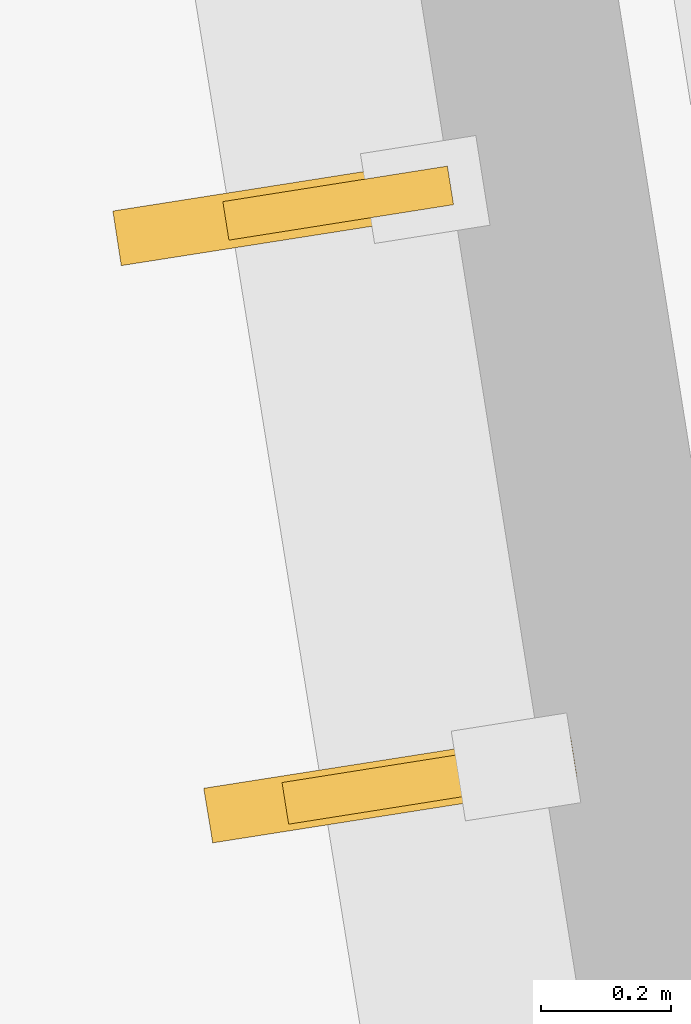
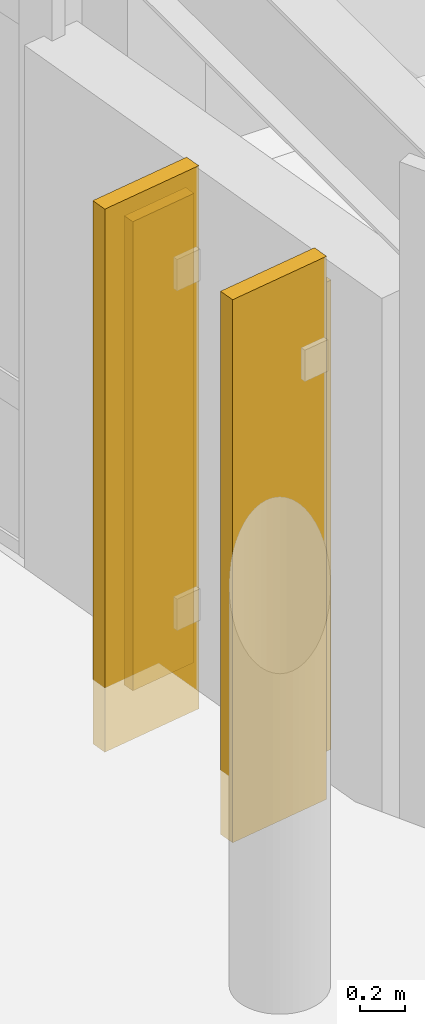
# One storey, part 103 of 111: 2 coverings, 2 shading devices.
"""IFC4 building model written with IfcOpenShell, lengths in metres."""

from ifc_helpers import new_model, si_unit, direction, frame, origin, origin_2d, place, context, subcontext, project, spatial, polyline, rectangle, outline, extrude, material, layer, layer_set, type_object, element, save


model = new_model("IFC4")

# Units and contexts
model_context = context("Model", 3, precision=1e-05, world=origin(), true_north=direction((0.0, 1.0)))
body_context = subcontext(model_context, "Body", "Model", "MODEL_VIEW")
ifc_project = project(units=[si_unit("LENGTHUNIT", "METRE"), si_unit("AREAUNIT", "SQUARE_METRE"), si_unit("VOLUMEUNIT", "CUBIC_METRE"), si_unit("PLANEANGLEUNIT", "RADIAN"), si_unit("MASSUNIT", "GRAM", prefix="KILO")], contexts=[model_context])

# Site, building, storey
site_placement = place(None, origin())
site = spatial("IfcSite", under=ifc_project, at=site_placement, CompositionType="ELEMENT")
building_placement = place(site_placement, origin())
building = spatial("IfcBuilding", under=site, at=building_placement, Name="Corveleigh Park Community Centre", CompositionType="ELEMENT")
storey_placement = place(building_placement, frame((0.0, 0.0, 4.800048828125)))
storey = spatial("IfcBuildingStorey", under=building, at=storey_placement, Name="L01", CompositionType="ELEMENT", Elevation=4.800048828125)

# Coverings
ifc_material_1 = material(Name="Warm buff ribbed architectural cladding", Category="masonry")
ifc_layer = layer(ifc_material_1, 0.0849609375, Name="Warm buff ribbed architectural cladding", Category="masonry")
ifc_layer_set = layer_set([ifc_layer], Name="Warm buff ribbed architectural cladding")
covering_type = type_object("IfcCoveringType", Name="COV-CLD-BUF", PredefinedType="CLADDING", material=ifc_layer_set)
covering_1_placement = place(storey_placement, origin())
element("IfcCovering", 1, at=covering_1_placement, inside=storey, type_object=covering_type, Name="V4 L01 Brise-soleil blade 291", PredefinedType="CLADDING", context=body_context, shape_type="SweptSolid", body=[
    extrude(outline(polyline([(134.197998046875, 63.885009765625), (134.18505859375, 63.968994140625), (133.656005859375, 63.885986328125), (133.669921875, 63.802001953125), (134.197998046875, 63.885009765625)])), origin(), (0.0, 0.0, 1.0), 2.93701171875),
])
covering_2_placement = place(storey_placement, origin())
element("IfcCovering", 2, at=covering_2_placement, inside=storey, type_object=covering_type, Name="V4 L01 Brise-soleil blade 292", PredefinedType="CLADDING", context=body_context, shape_type="SweptSolid", body=[
    extrude(outline(polyline([(134.05810546875, 64.77392578125), (134.0439453125, 64.85791015625), (133.51611328125, 64.77490234375), (133.529052734375, 64.69091796875), (134.05810546875, 64.77392578125)])), origin(), (0.0, 0.0, 1.0), 2.93701171875),
])

# Shading devices
ifc_material_2 = material(Name="Terracotta-anodised aluminium fin", Category="masonry")
shading_device_type_1 = type_object("IfcShadingDeviceType", Name="SHD-FIN-TER-350", PredefinedType="USERDEFINED", material=ifc_material_2)
shading_device_1_placement = place(storey_placement, frame((133.863037109375, 64.787109375, 0.25), z_axis=(0.0, 0.0, 1.0), x_axis=(-0.987733954743, -0.15614619639, 0.0)))
element("IfcShadingDevice", 3, at=shading_device_1_placement, inside=storey, type_object=shading_device_type_1, Name="Terracotta brise-soleil fin 55", ObjectType="FIN", PredefinedType="USERDEFINED", context=body_context, shape_type="SweptSolid", body=[
    extrude(rectangle(XDim=0.35009765625, YDim=0.06005859375, at=origin_2d()), origin(), (0.0, 0.0, 1.0), 2.537109375),
])
shading_device_type_2 = type_object("IfcShadingDeviceType", Name="SHD-FIN-TER-450", PredefinedType="USERDEFINED", material=ifc_material_2)
shading_device_2_placement = place(storey_placement, frame((134.00390625, 63.89794921875, 0.25), z_axis=(0.0, 0.0, 1.0), x_axis=(-0.987733954743, -0.15614619639, 0.0)))
element("IfcShadingDevice", 4, at=shading_device_2_placement, inside=storey, type_object=shading_device_type_2, Name="Terracotta brise-soleil fin 54", ObjectType="FIN", PredefinedType="USERDEFINED", context=body_context, shape_type="SweptSolid", body=[
    extrude(rectangle(XDim=0.449951171875, YDim=0.06494140625, at=origin_2d()), origin(), (0.0, 0.0, 1.0), 2.537109375),
])

save(model, "model.ifc")
